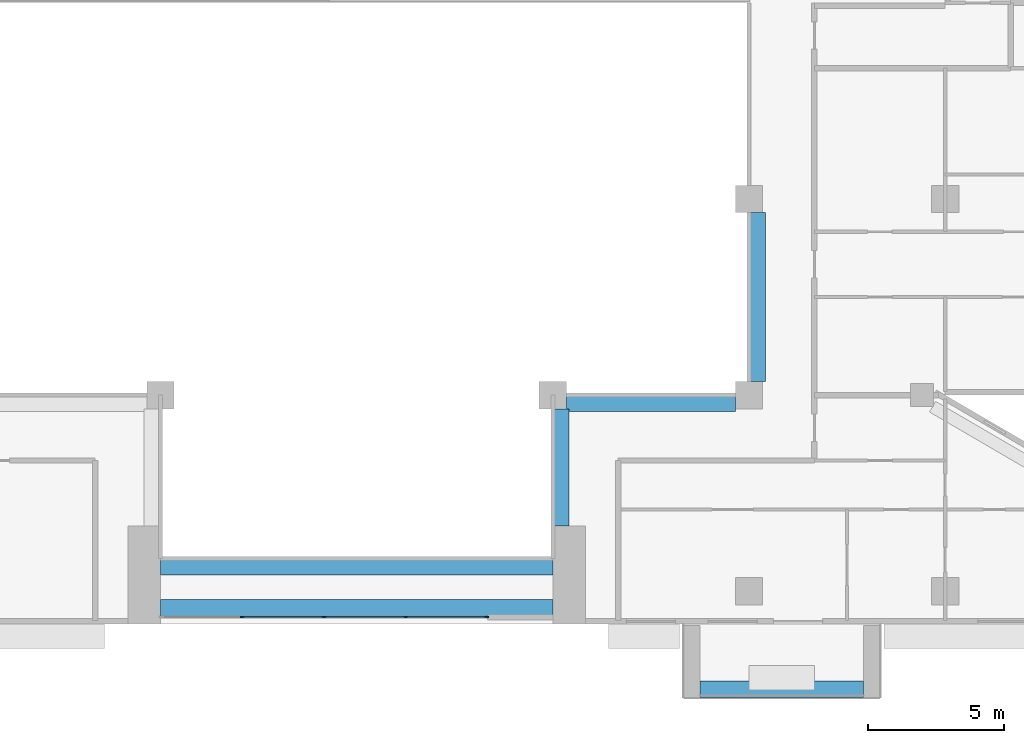
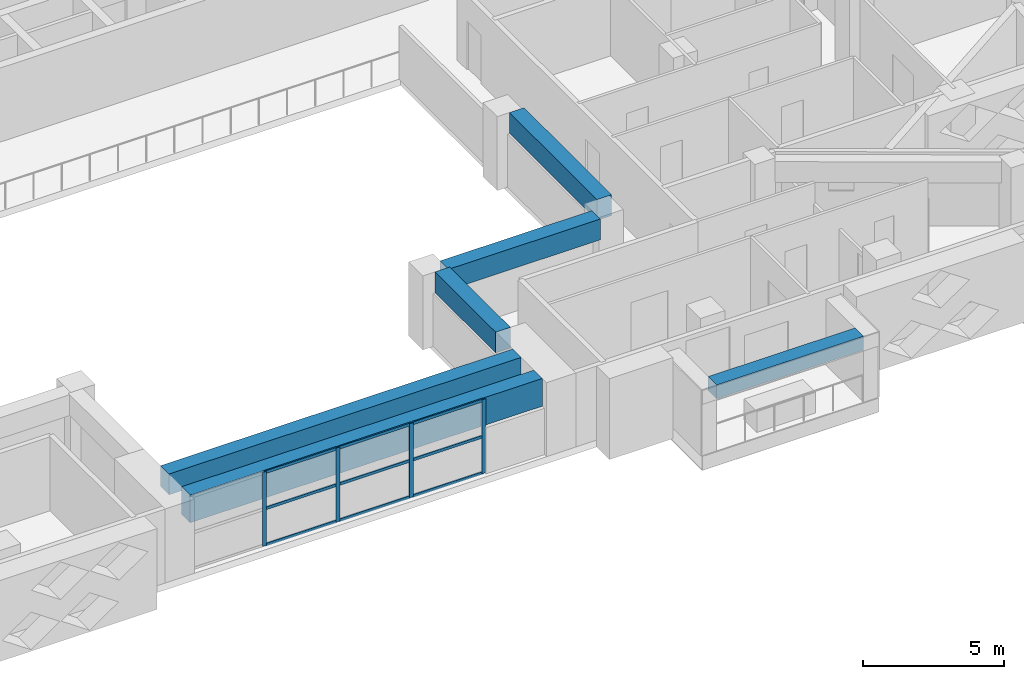
# One storey, part 4 of 20: 13 members, 6 beams, 1 element without a shape of its own.
"""IFC4 building model written with IfcOpenShell, lengths in metres."""

from ifc_helpers import new_model, si_unit, direction, frame, origin, origin_2d, place, context, subcontext, project, spatial, rectangle, extrude, source, transform, mapped, material, layer, layer_set, material_profile, profile_set, type_object, element, aggregate, save


model = new_model("IFC4")

# Units and contexts
model_context = context("Model", 3, precision=1e-05, world=origin(), true_north=direction((0.0, 1.0)))
body_context = subcontext(model_context, "Body", "Model", "MODEL_VIEW")
ifc_project = project(units=[si_unit("LENGTHUNIT", "METRE"), si_unit("AREAUNIT", "SQUARE_METRE"), si_unit("VOLUMEUNIT", "CUBIC_METRE"), si_unit("PLANEANGLEUNIT", "RADIAN"), si_unit("MASSUNIT", "GRAM", prefix="KILO")], contexts=[model_context])

# Site, building, storey
site_placement = place(None, origin())
site = spatial("IfcSite", under=ifc_project, at=site_placement, CompositionType="ELEMENT")
building_placement = place(site_placement, origin())
building = spatial("IfcBuilding", under=site, at=building_placement, Name="Saffron Iwan Residences", CompositionType="ELEMENT")
storey_placement = place(building_placement, frame((0.0, 0.0, 171.0)))
storey = spatial("IfcBuildingStorey", under=building, at=storey_placement, Name="L45", CompositionType="ELEMENT", Elevation=171.0)

# Beams
ifc_material_1 = material(Name="Concrete C50/60", Category="concrete")
ifc_material_profile_1 = material_profile(ifc_material_1, rectangle(XDim=0.60009765625, YDim=1.199951171875, at=origin_2d()), Name="RC 600x1200")
ifc_profile_set_1 = profile_set([ifc_material_profile_1], Name="Concrete C50/60")
beam_type_1 = type_object("IfcBeamType", Name="LINTEL BEAM RC 600x1200 C50/60 TOP 3200", PredefinedType="LINTEL", material=ifc_profile_set_1)
shared_shape_1 = source(origin(), body_context, "Body", "SweptSolid", [
    extrude(rectangle(XDim=0.60009765625, YDim=1.199951171875, at=origin_2d()), origin(), (0.0, 0.0, 1.0), 14.400146484375),
])
beam_1_placement = place(storey_placement, frame((57.60009765625, 40.199951171875, 2.60009765625), z_axis=(-1.0, 0.0, 0.0), x_axis=(0.0, -1.0, 0.0)))
element("IfcBeam", 1, at=beam_1_placement, inside=storey, type_object=beam_type_1, Name="Lintel beam over the iwan", PredefinedType="LINTEL", context=body_context, shape_type="MappedRepresentation", body=[
    mapped(shared_shape_1, transform((0.0, 0.0, 0.0))),
])
ifc_material_profile_2 = material_profile(ifc_material_1, rectangle(XDim=0.60009765625, YDim=0.89990234375, at=origin_2d()), Name="RC 600x900")
ifc_profile_set_2 = profile_set([ifc_material_profile_2], Name="Concrete C50/60")
beam_type_2 = type_object("IfcBeamType", Name="BEAM RC 600x900 C50/60 TOP 3200", PredefinedType="BEAM", material=ifc_profile_set_2)
shared_shape_2 = source(origin(), body_context, "Body", "SweptSolid", [
    extrude(rectangle(XDim=0.60009765625, YDim=0.89990234375, at=origin_2d()), origin(), (0.0, 0.0, 1.0), 14.400146484375),
])
beam_2_placement = place(storey_placement, frame((57.60009765625, 41.699951171875, 2.75), z_axis=(-1.0, 0.0, 0.0), x_axis=(0.0, -1.0, 0.0)))
element("IfcBeam", 2, at=beam_2_placement, inside=storey, type_object=beam_type_2, Name="Atrium edge beam", PredefinedType="BEAM", context=body_context, shape_type="MappedRepresentation", body=[
    mapped(shared_shape_2, transform((0.0, 0.0, 0.0))),
])
shared_shape_3 = source(origin(), body_context, "Body", "SweptSolid", [
    extrude(rectangle(XDim=0.60009765625, YDim=0.89990234375, at=origin_2d()), origin(), (0.0, 0.0, 1.0), 4.300048828125),
])
beam_3_placement = place(storey_placement, frame((57.89990234375, 47.5, 2.75), z_axis=(0.0, -1.0, 0.0), x_axis=(1.0, 0.0, 0.0)))
element("IfcBeam", 3, at=beam_3_placement, inside=storey, type_object=beam_type_2, Name="Atrium edge beam", PredefinedType="BEAM", context=body_context, shape_type="MappedRepresentation", body=[
    mapped(shared_shape_3, transform((0.0, 0.0, 0.0))),
])
shared_shape_4 = source(origin(), body_context, "Body", "SweptSolid", [
    extrude(rectangle(XDim=0.60009765625, YDim=0.89990234375, at=origin_2d()), origin(), (0.0, 0.0, 1.0), 6.199951171875),
])
for number, where, z_axis, x_axis, name in (
    (4, (64.300048828125, 47.699951171875, 2.75), (-1.0, 0.0, 0.0), (0.0, -1.0, 0.0), "Atrium edge beam"),
    (5, (65.10009765625, 54.699951171875, 2.75), (0.0, -1.0, 0.0), (1.0, 0.0, 0.0), "Atrium edge beam"),
):
    element("IfcBeam", number, at=place(storey_placement, frame(where, z_axis=z_axis, x_axis=x_axis)), inside=storey, type_object=beam_type_2, Name=name, PredefinedType="BEAM", context=body_context, shape_type="MappedRepresentation", body=[
        mapped(shared_shape_4, transform((0.0, 0.0, 0.0))),
    ])

# Curtain wall, members
ifc_material_2 = material(Name="Clear glass, laminated double glazed", Category="glass")
ifc_layer = layer(ifc_material_2, 0.199951171875)
ifc_layer_set = layer_set([ifc_layer], Name="Clear glass, laminated double glazed")
curtain_wall_type = type_object("IfcCurtainWallType", Name="CW-B IWAN PORTAL", PredefinedType="NOTDEFINED", material=ifc_layer_set)
curtain_wall_placement = place(storey_placement, origin())
curtain_wall = element("IfcCurtainWall", 6, at=curtain_wall_placement, inside=storey, type_object=curtain_wall_type, Name="Iwan portal glazing L45.1", PredefinedType="NOTDEFINED")
ifc_material_3 = material(Name="Aluminium 6063-T6", Category="aluminium")
ifc_material_profile_3 = material_profile(ifc_material_3, rectangle(XDim=0.06005859375, YDim=0.1201171875, at=origin_2d()), Name="CW-B TRANSOM 60 x 120")
ifc_profile_set_3 = profile_set([ifc_material_profile_3], Name="Aluminium 6063-T6")
member_type_1 = type_object("IfcMemberType", Name="CW-B TRANSOM 60 x 120", PredefinedType="USERDEFINED", material=ifc_profile_set_3)
shared_shape_5 = source(origin(), body_context, "Body", "SweptSolid", [
    extrude(rectangle(XDim=0.06005859375, YDim=0.1201171875, at=origin_2d()), origin(), (0.0, 0.0, 1.0), 2.909912109375),
])
member_1_placement = place(storey_placement, frame((52.22998046875, 39.85009765625, 0.030029296875), z_axis=(1.0, 0.0, 0.0), x_axis=(0.0, 1.0, 0.0)))
member_1 = element("IfcMember", 7, at=member_1_placement, type_object=member_type_1, Name="CW-B transom 4.1", ObjectType="TRANSOM", PredefinedType="USERDEFINED", context=body_context, shape_type="MappedRepresentation", body=[
    mapped(shared_shape_5, transform((0.0, 0.0, 0.0))),
])
member_2_placement = place(storey_placement, frame((52.22998046875, 39.85009765625, 1.60009765625), z_axis=(1.0, 0.0, 0.0), x_axis=(0.0, 1.0, 0.0)))
member_2 = element("IfcMember", 8, at=member_2_placement, type_object=member_type_1, Name="CW-B transom 4.2", ObjectType="TRANSOM", PredefinedType="USERDEFINED", context=body_context, shape_type="MappedRepresentation", body=[
    mapped(shared_shape_5, transform((0.0, 0.0, 0.0))),
])
member_3_placement = place(storey_placement, frame((52.22998046875, 39.85009765625, 3.169921875), z_axis=(1.0, 0.0, 0.0), x_axis=(0.0, 1.0, 0.0)))
member_3 = element("IfcMember", 9, at=member_3_placement, type_object=member_type_1, Name="CW-B transom 4.3", ObjectType="TRANSOM", PredefinedType="USERDEFINED", context=body_context, shape_type="MappedRepresentation", body=[
    mapped(shared_shape_5, transform((0.0, 0.0, 0.0))),
])
shared_shape_6 = source(origin(), body_context, "Body", "SweptSolid", [
    extrude(rectangle(XDim=0.06005859375, YDim=0.1201171875, at=origin_2d()), origin(), (0.0, 0.0, 1.0), 2.93994140625),
])
member_4_placement = place(storey_placement, frame((46.22998046875, 39.85009765625, 0.030029296875), z_axis=(1.0, 0.0, 0.0), x_axis=(0.0, 1.0, 0.0)))
member_4 = element("IfcMember", 10, at=member_4_placement, type_object=member_type_1, Name="CW-B transom 2.1", ObjectType="TRANSOM", PredefinedType="USERDEFINED", context=body_context, shape_type="MappedRepresentation", body=[
    mapped(shared_shape_6, transform((0.0, 0.0, 0.0))),
])
member_5_placement = place(storey_placement, frame((46.22998046875, 39.85009765625, 1.60009765625), z_axis=(1.0, 0.0, 0.0), x_axis=(0.0, 1.0, 0.0)))
member_5 = element("IfcMember", 11, at=member_5_placement, type_object=member_type_1, Name="CW-B transom 2.2", ObjectType="TRANSOM", PredefinedType="USERDEFINED", context=body_context, shape_type="MappedRepresentation", body=[
    mapped(shared_shape_6, transform((0.0, 0.0, 0.0))),
])
member_6_placement = place(storey_placement, frame((46.22998046875, 39.85009765625, 3.169921875), z_axis=(1.0, 0.0, 0.0), x_axis=(0.0, 1.0, 0.0)))
member_6 = element("IfcMember", 12, at=member_6_placement, type_object=member_type_1, Name="CW-B transom 2.3", ObjectType="TRANSOM", PredefinedType="USERDEFINED", context=body_context, shape_type="MappedRepresentation", body=[
    mapped(shared_shape_6, transform((0.0, 0.0, 0.0))),
])
member_7_placement = place(storey_placement, frame((49.22998046875, 39.85009765625, 0.030029296875), z_axis=(1.0, 0.0, 0.0), x_axis=(0.0, 1.0, 0.0)))
member_7 = element("IfcMember", 13, at=member_7_placement, type_object=member_type_1, Name="CW-B transom 3.1", ObjectType="TRANSOM", PredefinedType="USERDEFINED", context=body_context, shape_type="MappedRepresentation", body=[
    mapped(shared_shape_6, transform((0.0, 0.0, 0.0))),
])
member_8_placement = place(storey_placement, frame((49.22998046875, 39.85009765625, 1.60009765625), z_axis=(1.0, 0.0, 0.0), x_axis=(0.0, 1.0, 0.0)))
member_8 = element("IfcMember", 14, at=member_8_placement, type_object=member_type_1, Name="CW-B transom 3.2", ObjectType="TRANSOM", PredefinedType="USERDEFINED", context=body_context, shape_type="MappedRepresentation", body=[
    mapped(shared_shape_6, transform((0.0, 0.0, 0.0))),
])
member_9_placement = place(storey_placement, frame((49.22998046875, 39.85009765625, 3.169921875), z_axis=(1.0, 0.0, 0.0), x_axis=(0.0, 1.0, 0.0)))
member_9 = element("IfcMember", 15, at=member_9_placement, type_object=member_type_1, Name="CW-B transom 3.3", ObjectType="TRANSOM", PredefinedType="USERDEFINED", context=body_context, shape_type="MappedRepresentation", body=[
    mapped(shared_shape_6, transform((0.0, 0.0, 0.0))),
])

# Beam
ifc_material_4 = material(Name="Concrete C50/60 white painted", Category="concrete")
ifc_material_profile_4 = material_profile(ifc_material_4, rectangle(XDim=0.60009765625, YDim=0.60009765625, at=origin_2d()), Name="BALCONY FASCIA BEAM 600 x 600")
ifc_profile_set_4 = profile_set([ifc_material_profile_4], Name="Concrete C50/60 white painted")
beam_type_3 = type_object("IfcBeamType", Name="BALCONY FASCIA BEAM 600 x 600", PredefinedType="BEAM", material=ifc_profile_set_4)
shared_shape_7 = source(origin(), body_context, "Body", "SweptSolid", [
    extrude(rectangle(XDim=0.60009765625, YDim=0.60009765625, at=origin_2d()), origin(), (0.0, 0.0, 1.0), 6.0),
])
beam_4_placement = place(storey_placement, frame((63.0, 37.199951171875, 2.550048828125), z_axis=(1.0, 0.0, 0.0), x_axis=(0.0, 1.0, 0.0)))
element("IfcBeam", 16, at=beam_4_placement, inside=storey, type_object=beam_type_3, Name="Balcony fascia beam L45 11-2", PredefinedType="BEAM", context=body_context, shape_type="MappedRepresentation", body=[
    mapped(shared_shape_7, transform((0.0, 0.0, 0.0))),
])

# Member
ifc_material_profile_5 = material_profile(ifc_material_3, rectangle(XDim=0.06005859375, YDim=0.159912109375, at=origin_2d()), Name="CW-B MULLION 60 x 160")
ifc_profile_set_5 = profile_set([ifc_material_profile_5], Name="Aluminium 6063-T6")
member_type_2 = type_object("IfcMemberType", Name="CW-B MULLION 60 x 160", PredefinedType="MULLION", material=ifc_profile_set_5)
shared_shape_8 = source(origin(), body_context, "Body", "SweptSolid", [
    extrude(rectangle(XDim=0.06005859375, YDim=0.159912109375, at=origin_2d()), origin(), (0.0, 0.0, 1.0), 3.199951171875),
])
member_10_placement = place(storey_placement, frame((46.199951171875, 39.85009765625, 0.0), z_axis=(0.0, 0.0, 1.0), x_axis=(0.0, 1.0, 0.0)))
member_10 = element("IfcMember", 17, at=member_10_placement, type_object=member_type_2, Name="CW-B mullion 2", PredefinedType="MULLION", context=body_context, shape_type="MappedRepresentation", body=[
    mapped(shared_shape_8, transform((0.0, 0.0, 0.0))),
])

member_11_placement = place(storey_placement, frame((49.199951171875, 39.85009765625, 0.0), z_axis=(0.0, 0.0, 1.0), x_axis=(0.0, 1.0, 0.0)))
member_11 = element("IfcMember", 18, at=member_11_placement, type_object=member_type_2, Name="CW-B mullion 3", PredefinedType="MULLION", context=body_context, shape_type="MappedRepresentation", body=[
    mapped(shared_shape_8, transform((0.0, 0.0, 0.0))),
])

member_12_placement = place(storey_placement, frame((52.199951171875, 39.85009765625, 0.0), z_axis=(0.0, 0.0, 1.0), x_axis=(0.0, 1.0, 0.0)))
member_12 = element("IfcMember", 19, at=member_12_placement, type_object=member_type_2, Name="CW-B mullion 4", PredefinedType="MULLION", context=body_context, shape_type="MappedRepresentation", body=[
    mapped(shared_shape_8, transform((0.0, 0.0, 0.0))),
])

member_13_placement = place(storey_placement, frame((55.169921875, 39.85009765625, 0.0), z_axis=(0.0, 0.0, 1.0), x_axis=(0.0, 1.0, 0.0)))
member_13 = element("IfcMember", 20, at=member_13_placement, type_object=member_type_2, Name="CW-B mullion 5", PredefinedType="MULLION", context=body_context, shape_type="MappedRepresentation", body=[
    mapped(shared_shape_8, transform((0.0, 0.0, 0.0))),
])

aggregate(curtain_wall, [member_10, member_11, member_12, member_13, member_4, member_5, member_6, member_7, member_8, member_9, member_1, member_2, member_3])

save(model, "model.ifc")
